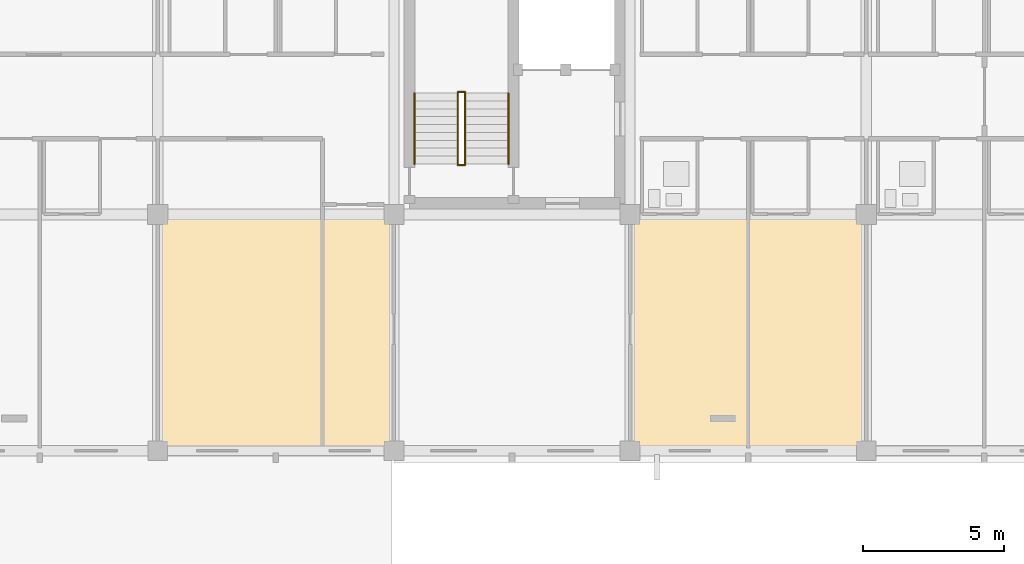
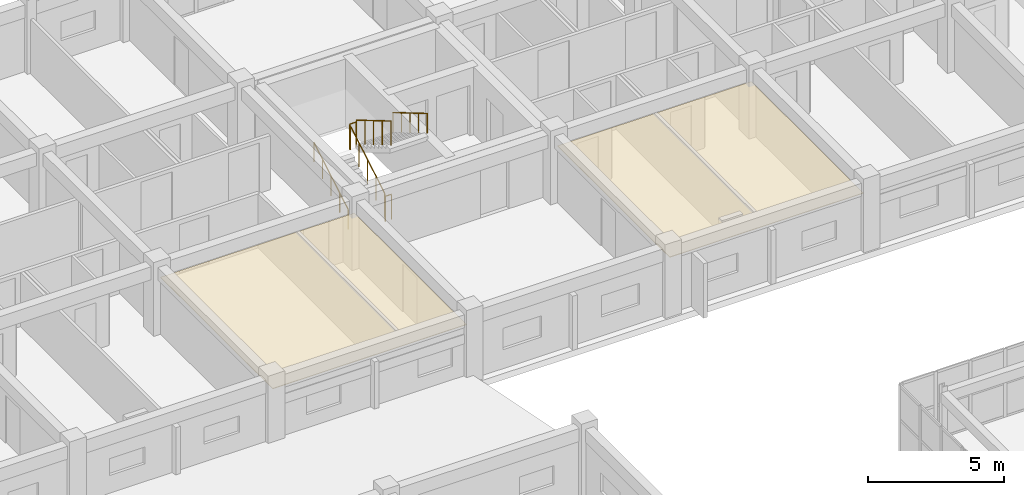
# One storey, part 144 of 148: 6 railings, 2 coverings.
"""IFC4 building model written with IfcOpenShell, lengths in metres."""

from ifc_helpers import new_model, si_unit, direction, frame, origin, origin_2d, place, context, subcontext, project, spatial, polyline, circle, outline, extrude, material, layer, layer_set, type_object, element, save


model = new_model("IFC4")

# Units and contexts
model_context = context("Model", 3, precision=1e-05, world=origin(), true_north=direction((0.0, 1.0)))
body_context = subcontext(model_context, "Body", "Model", "MODEL_VIEW")
ifc_project = project(units=[si_unit("LENGTHUNIT", "METRE"), si_unit("AREAUNIT", "SQUARE_METRE"), si_unit("VOLUMEUNIT", "CUBIC_METRE"), si_unit("PLANEANGLEUNIT", "RADIAN"), si_unit("MASSUNIT", "GRAM", prefix="KILO")], contexts=[model_context])

# Site, building, storey
site_placement = place(None, origin())
site = spatial("IfcSite", under=ifc_project, at=site_placement, CompositionType="ELEMENT")
building_placement = place(site_placement, origin())
building = spatial("IfcBuilding", under=site, at=building_placement, Name="Trelvath General Hospital", CompositionType="ELEMENT")
storey_placement = place(building_placement, frame((0.0, 0.0, 12.89990234375)))
storey = spatial("IfcBuildingStorey", under=building, at=storey_placement, Name="L03", CompositionType="ELEMENT", Elevation=12.89990234375)

# Coverings
ifc_material_1 = material(Name="Hygienic acoustic ceiling tile")
ifc_layer = layer(ifc_material_1, 0.02490234375)
ifc_layer_set = layer_set([ifc_layer], Name="Hygienic acoustic ceiling tile")
covering_type = type_object("IfcCoveringType", Name="Ceiling ClinicalAcoustic", PredefinedType="CEILING", material=ifc_layer_set)
covering_1_placement = place(storey_placement, frame((0.0, 0.0, 2.300048828125)))
element("IfcCovering", 1, at=covering_1_placement, inside=storey, type_object=covering_type, Name="Clinical Acoustic Ceiling L03-44", PredefinedType="CEILING", context=body_context, shape_type="SweptSolid", body=[
    extrude(outline(polyline([(33.699951171875, 92.5), (41.89990234375, 92.5), (41.89990234375, 100.719970703125), (33.699951171875, 100.719970703125), (33.699951171875, 92.5)])), origin(), (0.0, 0.0, 1.0), 0.025146484375),
])
covering_2_placement = place(storey_placement, frame((0.0, 0.0, 2.300048828125)))
element("IfcCovering", 2, at=covering_2_placement, inside=storey, type_object=covering_type, Name="Clinical Acoustic Ceiling L03-45", PredefinedType="CEILING", context=body_context, shape_type="SweptSolid", body=[
    extrude(outline(polyline([(50.5, 92.5), (58.699951171875, 92.5), (58.699951171875, 100.719970703125), (50.5, 100.719970703125), (50.5, 92.5)])), origin(), (0.0, 0.0, 1.0), 0.025146484375),
])

# Railings
ifc_material_2 = material(Name="Architectural painted steel", Category="steel")
railing_type_1 = type_object("IfcRailingType", Name="Guardrail Terrace1150", PredefinedType="GUARDRAIL", material=ifc_material_2)
railing_1_placement = place(storey_placement, frame((44.27001953125, 102.56005859375, 0.0)))
element("IfcRailing", 3, at=railing_1_placement, inside=storey, type_object=railing_type_1, Name="Stair Well Edge Guard C1 L03 18", PredefinedType="GUARDRAIL", context=body_context, shape_type="SweptSolid", body=[
    extrude(circle(Radius=0.02392578125, at=origin_2d()), frame((0.0, 0.0, 1.1259765625), z_axis=(1.0, 0.0, 0.0), x_axis=(0.0, 1.0, 0.0)), (0.0, 0.0, 1.0), 0.260009765625),
    extrude(circle(Radius=0.02099609375, at=origin_2d()), origin(), (0.0, 0.0, 1.0), 1.099853515625),
    extrude(circle(Radius=0.02099609375, at=origin_2d()), frame((0.260009765625, 0.0, 0.0)), (0.0, 0.0, 1.0), 1.099853515625),
])
railing_2_placement = place(storey_placement, frame((44.530029296875, 105.1201171875, 1.815185546875)))
element("IfcRailing", 4, at=railing_2_placement, inside=storey, type_object=railing_type_1, Name="Stair Rail ST1 L03 F2 L 20", PredefinedType="GUARDRAIL", context=body_context, shape_type="SweptSolid", body=[
    extrude(circle(Radius=0.02392578125, at=origin_2d()), frame((0.0, 0.0, 1.076171875), z_axis=(0.0, -0.861560626758, 0.507654692109), x_axis=(1.0, 0.0, 0.0)), (0.0, 0.0, 1.0), 2.925048828125),
    extrude(circle(Radius=0.02099609375, at=origin_2d()), origin(), (0.0, 0.0, 1.0), 1.050048828125),
    extrude(circle(Radius=0.02099609375, at=origin_2d()), frame((0.0, -0.6298828125, 0.37109375)), (0.0, 0.0, 1.0), 1.050048828125),
    extrude(circle(Radius=0.02099609375, at=origin_2d()), frame((0.0, -1.260009765625, 0.742431640625)), (0.0, 0.0, 1.0), 1.050048828125),
    extrude(circle(Radius=0.02099609375, at=origin_2d()), frame((0.0, -1.89013671875, 1.11376953125)), (0.0, 0.0, 1.0), 1.050048828125),
    extrude(circle(Radius=0.02099609375, at=origin_2d()), frame((0.0, -2.52001953125, 1.48486328125)), (0.0, 0.0, 1.0), 1.050048828125),
])
railing_3_placement = place(storey_placement, frame((44.27001953125, 102.60009765625, 0.1650390625)))
element("IfcRailing", 5, at=railing_3_placement, inside=storey, type_object=railing_type_1, Name="Stair Rail ST1 L03 F1 R 21", PredefinedType="GUARDRAIL", context=body_context, shape_type="SweptSolid", body=[
    extrude(circle(Radius=0.02392578125, at=origin_2d()), frame((0.0, 0.0, 1.076171875), z_axis=(0.0, 0.86152411907, 0.507716645641), x_axis=(-1.0, 0.0, 0.0)), (0.0, 0.0, 1.0), 2.925048828125),
    extrude(circle(Radius=0.02099609375, at=origin_2d()), origin(), (0.0, 0.0, 1.0), 1.050048828125),
    extrude(circle(Radius=0.02099609375, at=origin_2d()), frame((0.0, 0.6298828125, 0.371337890625)), (0.0, 0.0, 1.0), 1.050048828125),
    extrude(circle(Radius=0.02099609375, at=origin_2d()), frame((0.0, 1.260009765625, 0.74267578125)), (0.0, 0.0, 1.0), 1.050048828125),
    extrude(circle(Radius=0.02099609375, at=origin_2d()), frame((0.0, 1.89013671875, 1.11376953125)), (0.0, 0.0, 1.0), 1.050048828125),
    extrude(circle(Radius=0.02099609375, at=origin_2d()), frame((0.0, 2.52001953125, 1.485107421875)), (0.0, 0.0, 1.0), 1.050048828125),
])
railing_4_placement = place(storey_placement, frame((44.27001953125, 105.159912109375, 1.650146484375)))
element("IfcRailing", 6, at=railing_4_placement, inside=storey, type_object=railing_type_1, Name="Half-Landing Well Guard ST1 L03 23", PredefinedType="GUARDRAIL", context=body_context, shape_type="SweptSolid", body=[
    extrude(circle(Radius=0.02392578125, at=origin_2d()), frame((0.0, 0.0, 1.1259765625), z_axis=(1.0, 0.0, 0.0), x_axis=(0.0, 1.0, 0.0)), (0.0, 0.0, 1.0), 0.260009765625),
    extrude(circle(Radius=0.02099609375, at=origin_2d()), origin(), (0.0, 0.0, 1.0), 1.099853515625),
    extrude(circle(Radius=0.02099609375, at=origin_2d()), frame((0.260009765625, 0.0, 0.0)), (0.0, 0.0, 1.0), 1.099853515625),
])
ifc_material_3 = material(Name="Brushed stainless steel", Category="steel")
railing_type_2 = type_object("IfcRailingType", Name="Handrail Stair900", PredefinedType="HANDRAIL", material=ifc_material_3)
railing_5_placement = place(storey_placement, frame((42.72998046875, 102.60009765625, 0.1650390625)))
element("IfcRailing", 7, at=railing_5_placement, inside=storey, type_object=railing_type_2, Name="Stair Rail ST1 L03 F1 L 19", PredefinedType="HANDRAIL", context=body_context, shape_type="SweptSolid", body=[
    extrude(circle(Radius=0.02392578125, at=origin_2d()), frame((0.0, 0.0, 0.8759765625), z_axis=(0.0, 0.86152411907, 0.507716645641), x_axis=(-1.0, 0.0, 0.0)), (0.0, 0.0, 1.0), 2.925048828125),
    extrude(circle(Radius=0.02099609375, at=origin_2d()), origin(), (0.0, 0.0, 1.0), 0.849853515625),
    extrude(circle(Radius=0.02099609375, at=origin_2d()), frame((0.0, 0.6298828125, 0.371337890625)), (0.0, 0.0, 1.0), 0.849853515625),
    extrude(circle(Radius=0.02099609375, at=origin_2d()), frame((0.0, 1.260009765625, 0.74267578125)), (0.0, 0.0, 1.0), 0.849853515625),
    extrude(circle(Radius=0.02099609375, at=origin_2d()), frame((0.0, 1.89013671875, 1.11376953125)), (0.0, 0.0, 1.0), 0.849853515625),
    extrude(circle(Radius=0.02099609375, at=origin_2d()), frame((0.0, 2.52001953125, 1.485107421875)), (0.0, 0.0, 1.0), 0.849853515625),
])
railing_6_placement = place(storey_placement, frame((46.070068359375, 105.1201171875, 1.815185546875)))
element("IfcRailing", 8, at=railing_6_placement, inside=storey, type_object=railing_type_2, Name="Stair Rail ST1 L03 F2 R 22", PredefinedType="HANDRAIL", context=body_context, shape_type="SweptSolid", body=[
    extrude(circle(Radius=0.02392578125, at=origin_2d()), frame((0.0, 0.0, 0.8759765625), z_axis=(0.0, -0.861560626758, 0.507654692109), x_axis=(1.0, 0.0, 0.0)), (0.0, 0.0, 1.0), 2.925048828125),
    extrude(circle(Radius=0.02099609375, at=origin_2d()), origin(), (0.0, 0.0, 1.0), 0.849853515625),
    extrude(circle(Radius=0.02099609375, at=origin_2d()), frame((0.0, -0.6298828125, 0.37109375)), (0.0, 0.0, 1.0), 0.849853515625),
    extrude(circle(Radius=0.02099609375, at=origin_2d()), frame((0.0, -1.260009765625, 0.742431640625)), (0.0, 0.0, 1.0), 0.849853515625),
    extrude(circle(Radius=0.02099609375, at=origin_2d()), frame((0.0, -1.89013671875, 1.11376953125)), (0.0, 0.0, 1.0), 0.849853515625),
    extrude(circle(Radius=0.02099609375, at=origin_2d()), frame((0.0, -2.52001953125, 1.48486328125)), (0.0, 0.0, 1.0), 0.849853515625),
])

save(model, "model.ifc")
